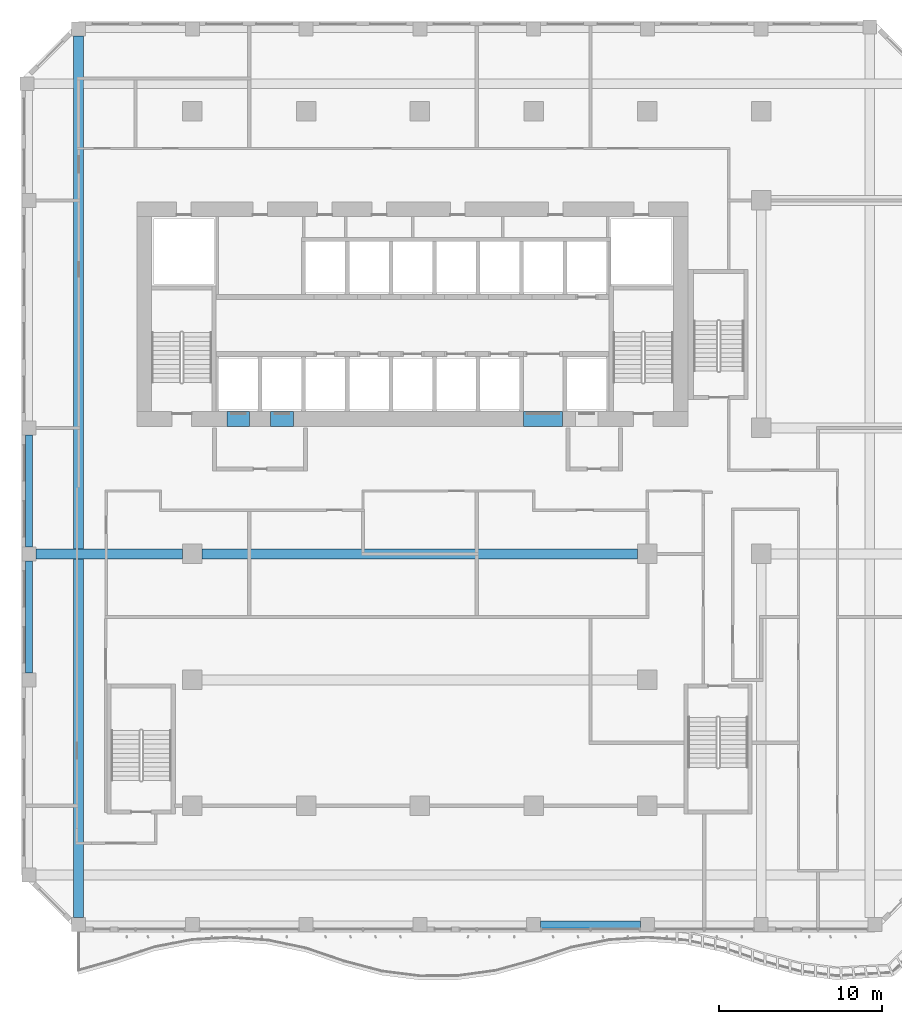
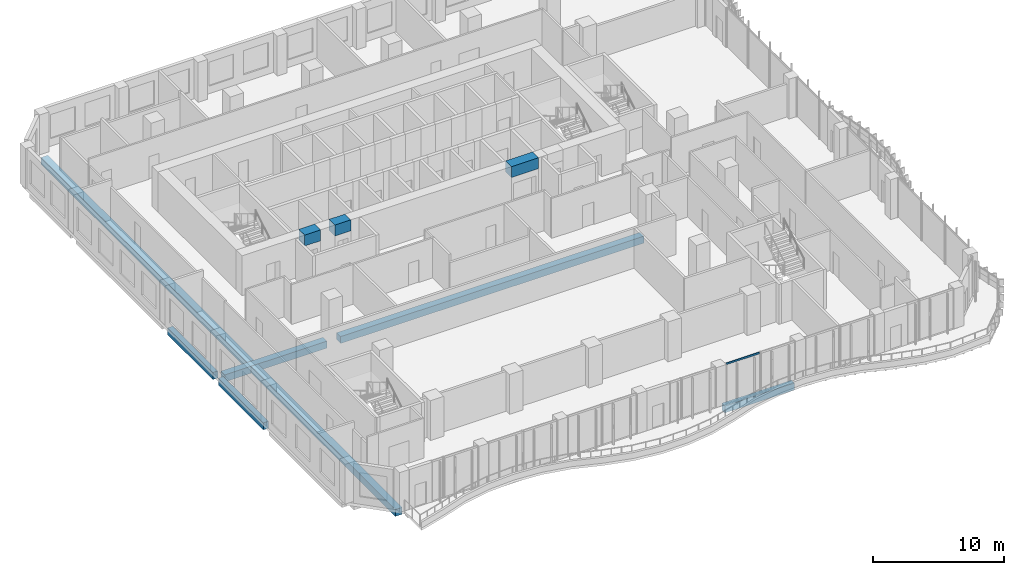
# One storey, part 5 of 27: 9 beams, 1 member, 1 element without a shape of its own.
"""IFC4 building model written with IfcOpenShell, lengths in metres."""

from ifc_helpers import new_model, si_unit, direction, frame, origin, origin_2d, place, context, subcontext, project, spatial, rectangle, extrude, source, transform, mapped, material, material_profile, profile_set, type_object, element, aggregate, save


model = new_model("IFC4")

# Units and contexts
model_context = context("Model", 3, precision=1e-05, world=origin(), true_north=direction((0.0, 1.0)))
body_context = subcontext(model_context, "Body", "Model", "MODEL_VIEW")
ifc_project = project(units=[si_unit("LENGTHUNIT", "METRE"), si_unit("AREAUNIT", "SQUARE_METRE"), si_unit("VOLUMEUNIT", "CUBIC_METRE"), si_unit("PLANEANGLEUNIT", "RADIAN"), si_unit("MASSUNIT", "GRAM", prefix="KILO")], contexts=[model_context])

# Site, building, storey
site_placement = place(None, origin())
site = spatial("IfcSite", under=ifc_project, at=site_placement, CompositionType="ELEMENT")
building_placement = place(site_placement, origin())
building = spatial("IfcBuilding", under=site, at=building_placement, Name="Kilnfold Tower and Market Hall", CompositionType="ELEMENT")
storey_placement = place(building_placement, frame((0.0, 0.0, 116.60009765625)))
storey = spatial("IfcBuildingStorey", under=building, at=storey_placement, Name="L27", CompositionType="ELEMENT", Elevation=116.60009765625)

# Beams
ifc_material_1 = material(Name="Concrete C70", Category="concrete")
ifc_material_profile_1 = material_profile(ifc_material_1, rectangle(XDim=0.89990234375, YDim=1.02001953125, at=origin_2d()), Name="RC 900x1020")
ifc_profile_set_1 = profile_set([ifc_material_profile_1], Name="Concrete C70")
beam_type_1 = type_object("IfcBeamType", Name="COUPLING BEAM 900X1020 C70", PredefinedType="BEAM", material=ifc_profile_set_1)
shared_shape_1 = source(origin(), body_context, "Body", "SweptSolid", [
    extrude(rectangle(XDim=0.89990234375, YDim=1.02001953125, at=origin_2d()), origin(), (0.0, 0.0, 1.0), 1.400146484375),
])
beam_1_placement = place(storey_placement, frame((-10.3701171875, 8.550048828125, 3.2099609375), z_axis=(1.0, 0.0, 0.0), x_axis=(0.0, 1.0, 0.0)))
element("IfcBeam", 1, at=beam_1_placement, inside=storey, type_object=beam_type_1, Name="Coupling beam CB1020-70-CORE.40", PredefinedType="BEAM", context=body_context, shape_type="MappedRepresentation", body=[
    mapped(shared_shape_1, transform((0.0, 0.0, 0.0))),
])
shared_shape_2 = source(origin(), body_context, "Body", "SweptSolid", [
    extrude(rectangle(XDim=0.89990234375, YDim=1.02001953125, at=origin_2d()), origin(), (0.0, 0.0, 1.0), 1.39990234375),
])
beam_2_placement = place(storey_placement, frame((-7.68994140625, 8.550048828125, 3.2099609375), z_axis=(1.0, 0.0, 0.0), x_axis=(0.0, 1.0, 0.0)))
element("IfcBeam", 2, at=beam_2_placement, inside=storey, type_object=beam_type_1, Name="Coupling beam CB1020-70-CORE.41", PredefinedType="BEAM", context=body_context, shape_type="MappedRepresentation", body=[
    mapped(shared_shape_2, transform((0.0, 0.0, 0.0))),
])
shared_shape_3 = source(origin(), body_context, "Body", "SweptSolid", [
    extrude(rectangle(XDim=0.89990234375, YDim=1.02001953125, at=origin_2d()), origin(), (0.0, 0.0, 1.0), 2.400146484375),
])
beam_3_placement = place(storey_placement, frame((7.889892578125, 8.550048828125, 3.2099609375), z_axis=(1.0, 0.0, 0.0), x_axis=(0.0, 1.0, 0.0)))
element("IfcBeam", 3, at=beam_3_placement, inside=storey, type_object=beam_type_1, Name="Coupling beam CB1020-70-CORE.42", PredefinedType="BEAM", context=body_context, shape_type="MappedRepresentation", body=[
    mapped(shared_shape_3, transform((0.0, 0.0, 0.0))),
])
ifc_material_2 = material(Name="Concrete C45", Category="concrete")
ifc_material_profile_2 = material_profile(ifc_material_2, rectangle(XDim=0.449951171875, YDim=0.64990234375, at=origin_2d()), Name="RC 450x650")
ifc_profile_set_2 = profile_set([ifc_material_profile_2], Name="Concrete C45")
beam_type_2 = type_object("IfcBeamType", Name="EDGE BEAM 450X650 C45", PredefinedType="BEAM", material=ifc_profile_set_2)
shared_shape_4 = source(origin(), body_context, "Body", "SweptSolid", [
    extrude(rectangle(XDim=0.449951171875, YDim=0.64990234375, at=origin_2d()), origin(), (0.0, 0.0, 1.0), 6.14990234375),
])
beam_4_placement = place(storey_placement, frame((8.925048828125, -22.550048828125, -0.60498046875), z_axis=(1.0, 0.0, 0.0), x_axis=(0.0, 1.0, 0.0)))
element("IfcBeam", 4, at=beam_4_placement, inside=storey, type_object=beam_type_2, Name="Beam EB650-B3.56", PredefinedType="BEAM", context=body_context, shape_type="MappedRepresentation", body=[
    mapped(shared_shape_4, transform((0.0, 0.0, 0.0))),
])
ifc_material_3 = material(Name="Concrete C45", Category="concrete")
ifc_material_profile_3 = material_profile(ifc_material_3, rectangle(XDim=0.60009765625, YDim=0.64990234375, at=origin_2d()), Name="RC 600x650")
ifc_profile_set_3 = profile_set([ifc_material_profile_3], Name="Concrete C45")
beam_type_3 = type_object("IfcBeamType", Name="BEAM 600X650 C45", PredefinedType="BEAM", material=ifc_profile_set_3)
shared_shape_5 = source(origin(), body_context, "Body", "SweptSolid", [
    extrude(rectangle(XDim=0.60009765625, YDim=0.64990234375, at=origin_2d()), origin(), (0.0, 0.0, 1.0), 26.7998046875),
])
beam_5_placement = place(storey_placement, frame((-11.89990234375, 0.25, -0.60498046875), z_axis=(1.0, 0.0, 0.0), x_axis=(0.0, 1.0, 0.0)))
element("IfcBeam", 5, at=beam_5_placement, inside=storey, type_object=beam_type_3, Name="Beam BB650-B3.62", PredefinedType="BEAM", context=body_context, shape_type="MappedRepresentation", body=[
    mapped(shared_shape_5, transform((0.0, 0.0, 0.0))),
])
shared_shape_6 = source(origin(), body_context, "Body", "SweptSolid", [
    extrude(rectangle(XDim=0.60009765625, YDim=0.64990234375, at=origin_2d()), origin(), (0.0, 0.0, 1.0), 9.02490234375),
])
beam_6_placement = place(storey_placement, frame((-22.125, 0.25, -0.60498046875), z_axis=(1.0, 0.0, 0.0), x_axis=(0.0, 1.0, 0.0)))
element("IfcBeam", 6, at=beam_6_placement, inside=storey, type_object=beam_type_3, Name="Beam BB650-B3.61", PredefinedType="BEAM", context=body_context, shape_type="MappedRepresentation", body=[
    mapped(shared_shape_6, transform((0.0, 0.0, 0.0))),
])
shared_shape_7 = source(origin(), body_context, "Body", "SweptSolid", [
    extrude(rectangle(XDim=0.449951171875, YDim=0.64990234375, at=origin_2d()), origin(), (0.0, 0.0, 1.0), 6.89990234375),
])
for number, where, z_axis, x_axis, name in (
    (7, (-22.550048828125, -7.074951171875, -0.60498046875), (0.0, 1.0, 0.0), (-1.0, 0.0, 0.0), "Beam EB650-B3.75"),
    (8, (-22.550048828125, 0.675048828125, -0.60498046875), (0.0, 1.0, 0.0), (-1.0, 0.0, 0.0), "Beam EB650-B3.76"),
):
    element("IfcBeam", number, at=place(storey_placement, frame(where, z_axis=z_axis, x_axis=x_axis)), inside=storey, type_object=beam_type_2, Name=name, PredefinedType="BEAM", context=body_context, shape_type="MappedRepresentation", body=[
        mapped(shared_shape_7, transform((0.0, 0.0, 0.0))),
    ])
shared_shape_8 = source(origin(), body_context, "Body", "SweptSolid", [
    extrude(rectangle(XDim=0.60009765625, YDim=0.64990234375, at=origin_2d()), origin(), (0.0, 0.0, 1.0), 54.25),
])
beam_7_placement = place(storey_placement, frame((-19.5, -22.125, -0.60498046875), z_axis=(0.0, 1.0, 0.0), x_axis=(-1.0, 0.0, 0.0)))
element("IfcBeam", 9, at=beam_7_placement, inside=storey, type_object=beam_type_3, Name="Beam BB650-B3.79", PredefinedType="BEAM", context=body_context, shape_type="MappedRepresentation", body=[
    mapped(shared_shape_8, transform((0.0, 0.0, 0.0))),
])

# Curtain wall, member
ifc_material_4 = material(Name="Aluminium and double glazing", Category="aluminium")
curtain_wall_type = type_object("IfcCurtainWallType", Name="CW OF2 VALLEY GLAZING", PredefinedType="NOTDEFINED", material=ifc_material_4)
curtain_wall_placement = place(storey_placement, origin())
curtain_wall = element("IfcCurtainWall", 10, at=curtain_wall_placement, inside=storey, type_object=curtain_wall_type, Name="Curtain wall CW2 L27 S", PredefinedType="NOTDEFINED")
ifc_material_5 = material(Name="Aluminium", Category="aluminium")
ifc_material_profile_4 = material_profile(ifc_material_5, rectangle(XDim=0.06005859375, YDim=0.159912109375, at=origin_2d()), Name="TRANSOM 60x160")
ifc_profile_set_4 = profile_set([ifc_material_profile_4], Name="Aluminium")
member_type = type_object("IfcMemberType", Name="TRANSOM 60X160", PredefinedType="USERDEFINED", material=ifc_profile_set_4)
shared_shape_9 = source(origin(), body_context, "Body", "SweptSolid", [
    extrude(rectangle(XDim=0.06005859375, YDim=0.159912109375, at=origin_2d()), origin(), (0.0, 0.0, 1.0), 2.954833984375),
])
member_placement = place(storey_placement, frame((8.985107421875, -22.85009765625, 3.68994140625), z_axis=(1.0, 0.0, 0.0), x_axis=(0.0, 1.0, 0.0)))
member = element("IfcMember", 11, at=member_placement, type_object=member_type, Name="CW2 transom 1.2", ObjectType="TRANSOM", PredefinedType="USERDEFINED", context=body_context, shape_type="MappedRepresentation", body=[
    mapped(shared_shape_9, transform((0.0, 0.0, 0.0))),
])
aggregate(curtain_wall, [member])

save(model, "model.ifc")
